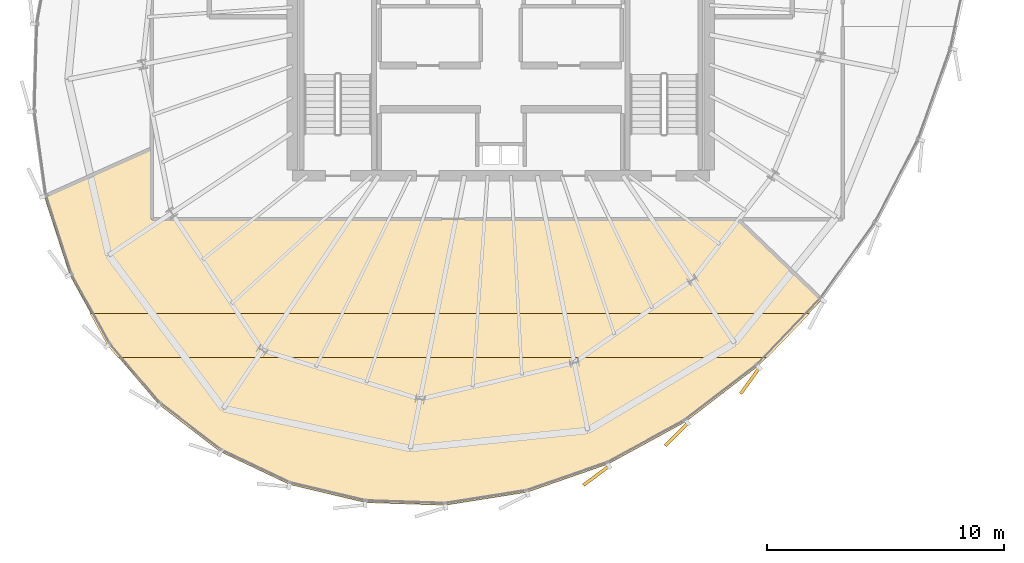
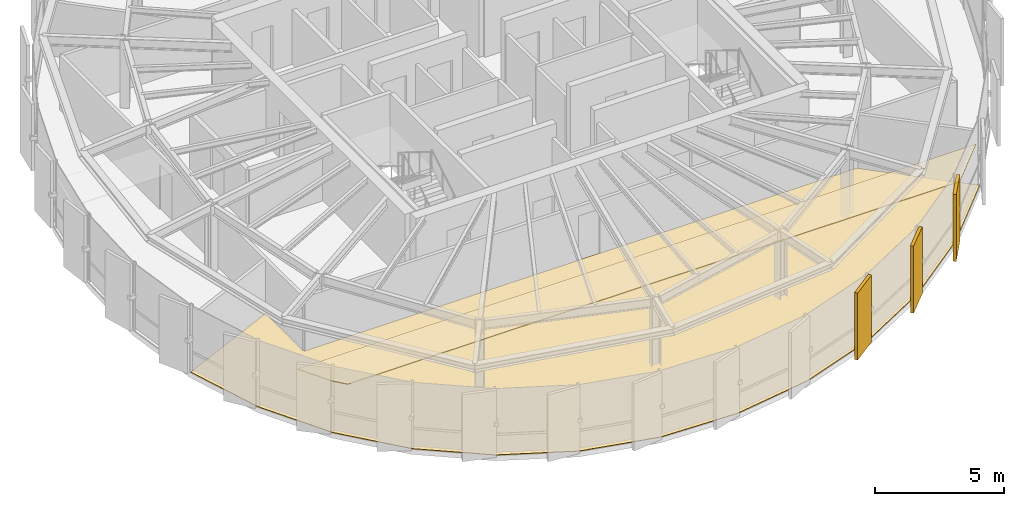
# One storey, part 29 of 31: 5 coverings.
"""IFC4 building model written with IfcOpenShell, lengths in metres."""

from ifc_helpers import new_model, si_unit, direction, frame, origin, origin_2d, place, context, subcontext, project, spatial, polyline, rectangle, outline, extrude, source, transform, mapped, material, layer, layer_set, type_object, element, save


model = new_model("IFC4")

# Units and contexts
model_context = context("Model", 3, precision=1e-05, world=origin(), true_north=direction((0.0, 1.0)))
body_context = subcontext(model_context, "Body", "Model", "MODEL_VIEW")
ifc_project = project(units=[si_unit("LENGTHUNIT", "METRE"), si_unit("AREAUNIT", "SQUARE_METRE"), si_unit("VOLUMEUNIT", "CUBIC_METRE"), si_unit("PLANEANGLEUNIT", "RADIAN"), si_unit("MASSUNIT", "GRAM", prefix="KILO"), si_unit("THERMODYNAMICTEMPERATUREUNIT", "KELVIN")], contexts=[model_context])

# Site, building, storey
site_placement = place(None, origin())
site = spatial("IfcSite", under=ifc_project, at=site_placement, CompositionType="ELEMENT")
building_placement = place(site_placement, origin())
building = spatial("IfcBuilding", under=site, at=building_placement, Name="Kethvar Cultural Tower", CompositionType="ELEMENT")
storey_placement = place(building_placement, frame((0.0, 0.0, 269.800048828125)))
storey = spatial("IfcBuildingStorey", under=building, at=storey_placement, Name="L71", CompositionType="ELEMENT", Elevation=269.800048828125)

# Coverings
ifc_material_1 = material(Name="Acoustic Mineral Fibre Ceiling")
ifc_layer_1 = layer(ifc_material_1, 0.0400390625, Name="Acoustic Mineral Fibre Ceiling")
ifc_layer_set_1 = layer_set([ifc_layer_1], Name="Acoustic Mineral Fibre Ceiling (40 mm)")
covering_type_1 = type_object("IfcCoveringType", Name="CV-ACOUSTIC-CEIL", PredefinedType="CEILING", material=ifc_layer_set_1)
covering_1_placement = place(storey_placement, frame((0.0, 0.0, 2.449951171875)))
element("IfcCovering", 1, at=covering_1_placement, inside=storey, type_object=covering_type_1, Name="L71 Room 01 Acoustic Ceiling Panel", PredefinedType="CEILING", context=body_context, shape_type="SweptSolid", body=[
    extrude(outline(polyline([(58.0380859375, 12.41748046875), (30.6474609375, 12.41748046875), (30.213134765625, 12.927978515625), (29.46337890625, 14.28759765625), (59.8369140625, 14.28759765625), (58.0380859375, 12.41748046875)])), origin(), (0.0, 0.0, 1.0), 0.0400390625),
])
ifc_material_2 = material(Name="Architectural Oak Timber", Category="wood")
ifc_layer_2 = layer(ifc_material_2, 0.02490234375, Name="Architectural Oak Timber", Category="wood")
ifc_layer_set_2 = layer_set([ifc_layer_2], Name="Architectural Oak Timber (25 mm)")
covering_type_2 = type_object("IfcCoveringType", Name="CV-OAK-FLOOR", PredefinedType="FLOORING", material=ifc_layer_set_2)
covering_2_placement = place(storey_placement, origin())
element("IfcCovering", 2, at=covering_2_placement, inside=storey, type_object=covering_type_2, Name="L71 Room 01 Floor Finish", PredefinedType="FLOORING", context=body_context, shape_type="SweptSolid", body=[
    extrude(outline(polyline([(60.336181640625, 14.864501953125), (57.638671875, 12.06005859375), (54.598876953125, 9.720703125), (51.322021484375, 7.930908203125), (47.908203125, 6.7451171875), (44.460693359375, 6.198974609375), (41.084716796875, 6.308837890625), (37.88232421875, 7.072021484375), (34.950927734375, 8.464111328125), (32.379638671875, 10.44384765625), (30.24609375, 12.95068359375), (28.615234375, 15.908935546875), (27.5419921875, 19.213134765625), (32.050048828125, 21.218017578125), (32.068115234375, 18.2490234375), (56.786865234375, 18.2490234375), (60.336181640625, 14.864501953125)])), origin(), (0.0, 0.0, 1.0), 0.02490234375),
])
ifc_material_3 = material(Name="Extruded Architectural Terracotta", Category="masonry")
ifc_layer_3 = layer(ifc_material_3, 0.135009765625, Name="Extruded Architectural Terracotta", Category="masonry")
ifc_layer_set_3 = layer_set([ifc_layer_3], Name="Extruded Architectural Terracotta (135 mm)")
covering_type_3 = type_object("IfcCoveringType", Name="Terracotta Facade Fin FIN-03", PredefinedType="CLADDING", material=ifc_layer_set_3)
shared_shape = source(origin(), body_context, "Body", "SweptSolid", [
    extrude(rectangle(XDim=1.35009765625, YDim=0.135009765625, at=origin_2d()), origin(), (0.0, 0.0, 1.0), 3.169921875),
])
for number, where, z_axis, x_axis, name in (
    (3, (50.826904296875, 7.439697265625, 0.02001953125), (0.0, 0.0, 1.0), (-0.802401036097, -0.596785201953, 0.0), "L71 Vertical Terracotta Fin 4.6"),
    (4, (54.21435546875, 9.18017578125, 0.02001953125), (0.0, 0.0, 1.0), (-0.699912695896, -0.714228407531, 0.0), "L71 Vertical Terracotta Fin 5.1"),
    (5, (57.31396484375, 11.44287109375, 0.02001953125), (0.0, 0.0, 1.0), (-0.586230968869, -0.81014396939, 0.0), "L71 Vertical Terracotta Fin 5.2"),
):
    element("IfcCovering", number, at=place(storey_placement, frame(where, z_axis=z_axis, x_axis=x_axis)), inside=storey, type_object=covering_type_3, Name=name, PredefinedType="CLADDING", context=body_context, shape_type="MappedRepresentation", body=[
        mapped(shared_shape, transform((0.0, 0.0, 0.0), scale=1.0)),
    ])

save(model, "model.ifc")
